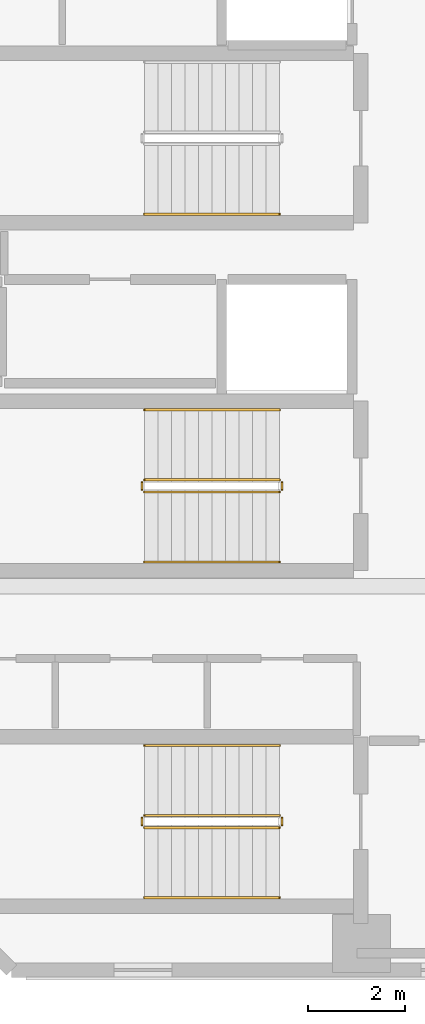
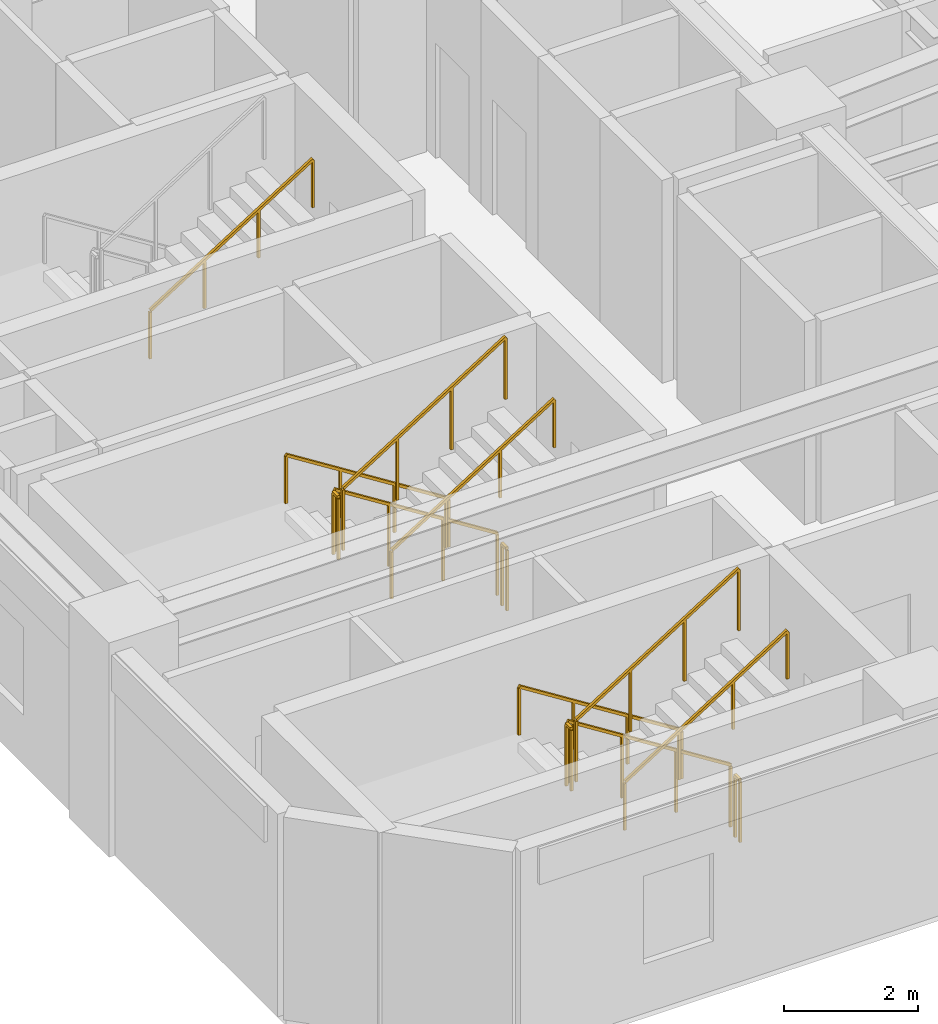
# One storey, part 7 of 12: 13 railings.
"""IFC4 building model written with IfcOpenShell, lengths in metres."""

from ifc_helpers import new_model, si_unit, direction, frame, origin, origin_2d, place, context, subcontext, project, spatial, rectangle, extrude, material, type_object, element, save


model = new_model("IFC4")

# Units and contexts
model_context = context("Model", 3, precision=1e-05, world=origin(), true_north=direction((0.0, 1.0)))
body_context = subcontext(model_context, "Body", "Model", "MODEL_VIEW")
ifc_project = project(units=[si_unit("LENGTHUNIT", "METRE"), si_unit("AREAUNIT", "SQUARE_METRE"), si_unit("VOLUMEUNIT", "CUBIC_METRE"), si_unit("PLANEANGLEUNIT", "RADIAN"), si_unit("MASSUNIT", "GRAM", prefix="KILO")], contexts=[model_context])

# Site, building, storey
site_placement = place(None, origin())
site = spatial("IfcSite", under=ifc_project, at=site_placement, CompositionType="ELEMENT")
building_placement = place(site_placement, origin())
building = spatial("IfcBuilding", under=site, at=building_placement, Name="Mawjaban Terraces University", CompositionType="ELEMENT")
storey_placement = place(building_placement, frame((0.0, 0.0, 150.199951171875)))
storey = spatial("IfcBuildingStorey", under=building, at=storey_placement, Name="L36", CompositionType="ELEMENT", Elevation=150.199951171875)

# Railings
ifc_material_1 = material(Name="Brushed stainless steel 316", Category="steel")
railing_type_1 = type_object("IfcRailingType", Name="StairWallHandrail_900", PredefinedType="HANDRAIL", material=ifc_material_1)
railing_1_placement = place(storey_placement, frame((30.050048828125, 4.64990234375, 0.17724609375)))
element("IfcRailing", 1, at=railing_1_placement, inside=storey, type_object=railing_type_1, Name="L36 ST-1 stair handrail 1", PredefinedType="HANDRAIL", context=body_context, shape_type="SweptSolid", body=[
    extrude(rectangle(XDim=0.048095703125, YDim=0.048095703125, at=origin_2d()), frame((0.0, 0.0, 0.8759765625), z_axis=(-0.844908973607, 0.0, 0.534910110503), x_axis=(0.0, -1.0, 0.0)), (0.0, 0.0, 1.0), 3.31396484375),
    extrude(rectangle(XDim=0.0419921875, YDim=0.0419921875, at=origin_2d()), origin(), (0.0, 0.0, 1.0), 0.851806640625),
    extrude(rectangle(XDim=0.0419921875, YDim=0.0419921875, at=origin_2d()), frame((-0.933349609375, 0.0, 0.5908203125)), (0.0, 0.0, 1.0), 0.851806640625),
    extrude(rectangle(XDim=0.0419921875, YDim=0.0419921875, at=origin_2d()), frame((-1.86669921875, 0.0, 1.181884765625)), (0.0, 0.0, 1.0), 0.851806640625),
    extrude(rectangle(XDim=0.0419921875, YDim=0.0419921875, at=origin_2d()), frame((-2.800048828125, 0.0, 1.772705078125)), (0.0, 0.0, 1.0), 0.851806640625),
])
for number, where, name in (
    (2, (27.25, 1.5, 2.12744140625), "L36 ST-1 stair handrail 2"),
    (3, (27.25, 15.64990234375, 2.12744140625), "L36 ST-2 stair handrail 2"),
):
    element("IfcRailing", number, at=place(storey_placement, frame(where)), inside=storey, type_object=railing_type_1, Name=name, PredefinedType="HANDRAIL", context=body_context, shape_type="SweptSolid", body=[
        extrude(rectangle(XDim=0.048095703125, YDim=0.048095703125, at=origin_2d()), frame((0.0, 0.0, 0.8759765625), z_axis=(0.844908973607, 0.0, 0.534910110503), x_axis=(0.0, 1.0, 0.0)), (0.0, 0.0, 1.0), 3.31396484375),
        extrude(rectangle(XDim=0.0419921875, YDim=0.0419921875, at=origin_2d()), origin(), (0.0, 0.0, 1.0), 0.851806640625),
        extrude(rectangle(XDim=0.0419921875, YDim=0.0419921875, at=origin_2d()), frame((0.933349609375, 0.0, 0.5908203125)), (0.0, 0.0, 1.0), 0.851806640625),
        extrude(rectangle(XDim=0.0419921875, YDim=0.0419921875, at=origin_2d()), frame((1.86669921875, 0.0, 1.181884765625)), (0.0, 0.0, 1.0), 0.851806640625),
        extrude(rectangle(XDim=0.0419921875, YDim=0.0419921875, at=origin_2d()), frame((2.800048828125, 0.0, 1.772705078125)), (0.0, 0.0, 1.0), 0.851806640625),
    ])
railing_2_placement = place(storey_placement, frame((30.050048828125, 11.60009765625, 0.17724609375)))
element("IfcRailing", 4, at=railing_2_placement, inside=storey, type_object=railing_type_1, Name="L36 ST-3 stair handrail 1", PredefinedType="HANDRAIL", context=body_context, shape_type="SweptSolid", body=[
    extrude(rectangle(XDim=0.048095703125, YDim=0.048095703125, at=origin_2d()), frame((0.0, 0.0, 0.8759765625), z_axis=(-0.844908973607, 0.0, 0.534910110503), x_axis=(0.0, -1.0, 0.0)), (0.0, 0.0, 1.0), 3.31396484375),
    extrude(rectangle(XDim=0.0419921875, YDim=0.0419921875, at=origin_2d()), origin(), (0.0, 0.0, 1.0), 0.851806640625),
    extrude(rectangle(XDim=0.0419921875, YDim=0.0419921875, at=origin_2d()), frame((-0.933349609375, 0.0, 0.5908203125)), (0.0, 0.0, 1.0), 0.851806640625),
    extrude(rectangle(XDim=0.0419921875, YDim=0.0419921875, at=origin_2d()), frame((-1.86669921875, 0.0, 1.181884765625)), (0.0, 0.0, 1.0), 0.851806640625),
    extrude(rectangle(XDim=0.0419921875, YDim=0.0419921875, at=origin_2d()), frame((-2.800048828125, 0.0, 1.772705078125)), (0.0, 0.0, 1.0), 0.851806640625),
])
railing_3_placement = place(storey_placement, frame((27.25, 8.449951171875, 2.12744140625)))
element("IfcRailing", 5, at=railing_3_placement, inside=storey, type_object=railing_type_1, Name="L36 ST-3 stair handrail 2", PredefinedType="HANDRAIL", context=body_context, shape_type="SweptSolid", body=[
    extrude(rectangle(XDim=0.048095703125, YDim=0.048095703125, at=origin_2d()), frame((0.0, 0.0, 0.8759765625), z_axis=(0.844908973607, 0.0, 0.534910110503), x_axis=(0.0, 1.0, 0.0)), (0.0, 0.0, 1.0), 3.31396484375),
    extrude(rectangle(XDim=0.0419921875, YDim=0.0419921875, at=origin_2d()), origin(), (0.0, 0.0, 1.0), 0.851806640625),
    extrude(rectangle(XDim=0.0419921875, YDim=0.0419921875, at=origin_2d()), frame((0.933349609375, 0.0, 0.5908203125)), (0.0, 0.0, 1.0), 0.851806640625),
    extrude(rectangle(XDim=0.0419921875, YDim=0.0419921875, at=origin_2d()), frame((1.86669921875, 0.0, 1.181884765625)), (0.0, 0.0, 1.0), 0.851806640625),
    extrude(rectangle(XDim=0.0419921875, YDim=0.0419921875, at=origin_2d()), frame((2.800048828125, 0.0, 1.772705078125)), (0.0, 0.0, 1.0), 0.851806640625),
])
ifc_material_2 = material(Name="Galvanised painted steel S355", Category="steel")
railing_type_2 = type_object("IfcRailingType", Name="StairWellGuard_1150", PredefinedType="BALUSTRADE", material=ifc_material_2)
railing_4_placement = place(storey_placement, frame((30.050048828125, 3.199951171875, 0.17724609375)))
element("IfcRailing", 6, at=railing_4_placement, inside=storey, type_object=railing_type_2, Name="L36 ST-1 stair guard 1", PredefinedType="BALUSTRADE", context=body_context, shape_type="SweptSolid", body=[
    extrude(rectangle(XDim=0.048095703125, YDim=0.048095703125, at=origin_2d()), frame((0.0, 0.0, 1.1259765625), z_axis=(-0.844908973607, 0.0, 0.534910110503), x_axis=(0.0, -1.0, 0.0)), (0.0, 0.0, 1.0), 3.31396484375),
    extrude(rectangle(XDim=0.0419921875, YDim=0.0419921875, at=origin_2d()), origin(), (0.0, 0.0, 1.0), 1.101806640625),
    extrude(rectangle(XDim=0.0419921875, YDim=0.0419921875, at=origin_2d()), frame((-0.933349609375, 0.0, 0.5908203125)), (0.0, 0.0, 1.0), 1.101806640625),
    extrude(rectangle(XDim=0.0419921875, YDim=0.0419921875, at=origin_2d()), frame((-1.86669921875, 0.0, 1.181884765625)), (0.0, 0.0, 1.0), 1.101806640625),
    extrude(rectangle(XDim=0.0419921875, YDim=0.0419921875, at=origin_2d()), frame((-2.800048828125, 0.0, 1.772705078125)), (0.0, 0.0, 1.0), 1.101806640625),
])
railing_5_placement = place(storey_placement, frame((27.199951171875, 3.14990234375, 1.949951171875)))
element("IfcRailing", 7, at=railing_5_placement, inside=storey, type_object=railing_type_2, Name="L36 ST-1 stair guard 2", PredefinedType="BALUSTRADE", context=body_context, shape_type="SweptSolid", body=[
    extrude(rectangle(XDim=0.048095703125, YDim=0.048095703125, at=origin_2d()), frame((0.0, 0.0, 1.1259765625), z_axis=(0.0, -1.0, 0.0), x_axis=(1.0, 0.0, 0.0)), (0.0, 0.0, 1.0), 0.14990234375),
    extrude(rectangle(XDim=0.0419921875, YDim=0.0419921875, at=origin_2d()), origin(), (0.0, 0.0, 1.0), 1.101806640625),
    extrude(rectangle(XDim=0.0419921875, YDim=0.0419921875, at=origin_2d()), frame((0.0, -0.14990234375, 0.0)), (0.0, 0.0, 1.0), 1.101806640625),
])
railing_6_placement = place(storey_placement, frame((27.25, 2.949951171875, 2.12744140625)))
element("IfcRailing", 8, at=railing_6_placement, inside=storey, type_object=railing_type_2, Name="L36 ST-1 stair guard 3", PredefinedType="BALUSTRADE", context=body_context, shape_type="SweptSolid", body=[
    extrude(rectangle(XDim=0.048095703125, YDim=0.048095703125, at=origin_2d()), frame((0.0, 0.0, 1.1259765625), z_axis=(0.844908973607, 0.0, 0.534910110503), x_axis=(0.0, 1.0, 0.0)), (0.0, 0.0, 1.0), 3.31396484375),
    extrude(rectangle(XDim=0.0419921875, YDim=0.0419921875, at=origin_2d()), origin(), (0.0, 0.0, 1.0), 1.101806640625),
    extrude(rectangle(XDim=0.0419921875, YDim=0.0419921875, at=origin_2d()), frame((0.933349609375, 0.0, 0.5908203125)), (0.0, 0.0, 1.0), 1.101806640625),
    extrude(rectangle(XDim=0.0419921875, YDim=0.0419921875, at=origin_2d()), frame((1.86669921875, 0.0, 1.181884765625)), (0.0, 0.0, 1.0), 1.101806640625),
    extrude(rectangle(XDim=0.0419921875, YDim=0.0419921875, at=origin_2d()), frame((2.800048828125, 0.0, 1.772705078125)), (0.0, 0.0, 1.0), 1.101806640625),
])
railing_7_placement = place(storey_placement, frame((30.10009765625, 3.14990234375, 0.0)))
element("IfcRailing", 9, at=railing_7_placement, inside=storey, type_object=railing_type_2, Name="L36 ST-1 stair guard 4", PredefinedType="BALUSTRADE", context=body_context, shape_type="SweptSolid", body=[
    extrude(rectangle(XDim=0.048095703125, YDim=0.048095703125, at=origin_2d()), frame((0.0, 0.0, 1.1259765625), z_axis=(0.0, -1.0, 0.0), x_axis=(1.0, 0.0, 0.0)), (0.0, 0.0, 1.0), 0.14990234375),
    extrude(rectangle(XDim=0.0419921875, YDim=0.0419921875, at=origin_2d()), origin(), (0.0, 0.0, 1.0), 1.101806640625),
    extrude(rectangle(XDim=0.0419921875, YDim=0.0419921875, at=origin_2d()), frame((0.0, -0.14990234375, 0.0)), (0.0, 0.0, 1.0), 1.101806640625),
])
railing_8_placement = place(storey_placement, frame((30.050048828125, 10.14990234375, 0.17724609375)))
element("IfcRailing", 10, at=railing_8_placement, inside=storey, type_object=railing_type_2, Name="L36 ST-3 stair guard 1", PredefinedType="BALUSTRADE", context=body_context, shape_type="SweptSolid", body=[
    extrude(rectangle(XDim=0.048095703125, YDim=0.048095703125, at=origin_2d()), frame((0.0, 0.0, 1.1259765625), z_axis=(-0.844908973607, 0.0, 0.534910110503), x_axis=(0.0, -1.0, 0.0)), (0.0, 0.0, 1.0), 3.31396484375),
    extrude(rectangle(XDim=0.0419921875, YDim=0.0419921875, at=origin_2d()), origin(), (0.0, 0.0, 1.0), 1.101806640625),
    extrude(rectangle(XDim=0.0419921875, YDim=0.0419921875, at=origin_2d()), frame((-0.933349609375, 0.0, 0.5908203125)), (0.0, 0.0, 1.0), 1.101806640625),
    extrude(rectangle(XDim=0.0419921875, YDim=0.0419921875, at=origin_2d()), frame((-1.86669921875, 0.0, 1.181884765625)), (0.0, 0.0, 1.0), 1.101806640625),
    extrude(rectangle(XDim=0.0419921875, YDim=0.0419921875, at=origin_2d()), frame((-2.800048828125, 0.0, 1.772705078125)), (0.0, 0.0, 1.0), 1.101806640625),
])
railing_9_placement = place(storey_placement, frame((27.199951171875, 10.10009765625, 1.949951171875)))
element("IfcRailing", 11, at=railing_9_placement, inside=storey, type_object=railing_type_2, Name="L36 ST-3 stair guard 2", PredefinedType="BALUSTRADE", context=body_context, shape_type="SweptSolid", body=[
    extrude(rectangle(XDim=0.048095703125, YDim=0.048095703125, at=origin_2d()), frame((0.0, 0.0, 1.1259765625), z_axis=(0.0, -1.0, 0.0), x_axis=(1.0, 0.0, 0.0)), (0.0, 0.0, 1.0), 0.150146484375),
    extrude(rectangle(XDim=0.0419921875, YDim=0.0419921875, at=origin_2d()), origin(), (0.0, 0.0, 1.0), 1.101806640625),
    extrude(rectangle(XDim=0.0419921875, YDim=0.0419921875, at=origin_2d()), frame((0.0, -0.150146484375, 0.0)), (0.0, 0.0, 1.0), 1.101806640625),
])
railing_10_placement = place(storey_placement, frame((27.25, 9.89990234375, 2.12744140625)))
element("IfcRailing", 12, at=railing_10_placement, inside=storey, type_object=railing_type_2, Name="L36 ST-3 stair guard 3", PredefinedType="BALUSTRADE", context=body_context, shape_type="SweptSolid", body=[
    extrude(rectangle(XDim=0.048095703125, YDim=0.048095703125, at=origin_2d()), frame((0.0, 0.0, 1.1259765625), z_axis=(0.844908973607, 0.0, 0.534910110503), x_axis=(0.0, 1.0, 0.0)), (0.0, 0.0, 1.0), 3.31396484375),
    extrude(rectangle(XDim=0.0419921875, YDim=0.0419921875, at=origin_2d()), origin(), (0.0, 0.0, 1.0), 1.101806640625),
    extrude(rectangle(XDim=0.0419921875, YDim=0.0419921875, at=origin_2d()), frame((0.933349609375, 0.0, 0.5908203125)), (0.0, 0.0, 1.0), 1.101806640625),
    extrude(rectangle(XDim=0.0419921875, YDim=0.0419921875, at=origin_2d()), frame((1.86669921875, 0.0, 1.181884765625)), (0.0, 0.0, 1.0), 1.101806640625),
    extrude(rectangle(XDim=0.0419921875, YDim=0.0419921875, at=origin_2d()), frame((2.800048828125, 0.0, 1.772705078125)), (0.0, 0.0, 1.0), 1.101806640625),
])
railing_11_placement = place(storey_placement, frame((30.10009765625, 10.10009765625, 0.0)))
element("IfcRailing", 13, at=railing_11_placement, inside=storey, type_object=railing_type_2, Name="L36 ST-3 stair guard 4", PredefinedType="BALUSTRADE", context=body_context, shape_type="SweptSolid", body=[
    extrude(rectangle(XDim=0.048095703125, YDim=0.048095703125, at=origin_2d()), frame((0.0, 0.0, 1.1259765625), z_axis=(0.0, -1.0, 0.0), x_axis=(1.0, 0.0, 0.0)), (0.0, 0.0, 1.0), 0.150146484375),
    extrude(rectangle(XDim=0.0419921875, YDim=0.0419921875, at=origin_2d()), origin(), (0.0, 0.0, 1.0), 1.101806640625),
    extrude(rectangle(XDim=0.0419921875, YDim=0.0419921875, at=origin_2d()), frame((0.0, -0.150146484375, 0.0)), (0.0, 0.0, 1.0), 1.101806640625),
])

save(model, "model.ifc")
